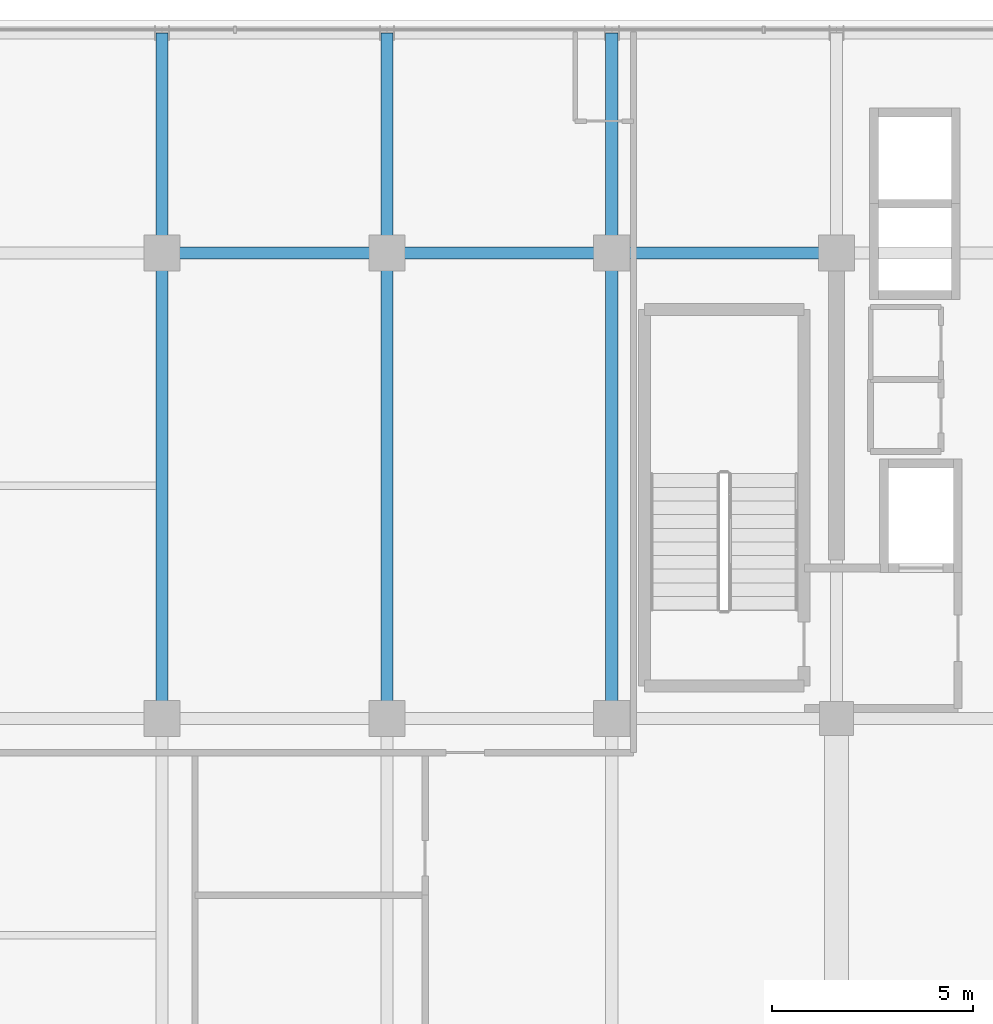
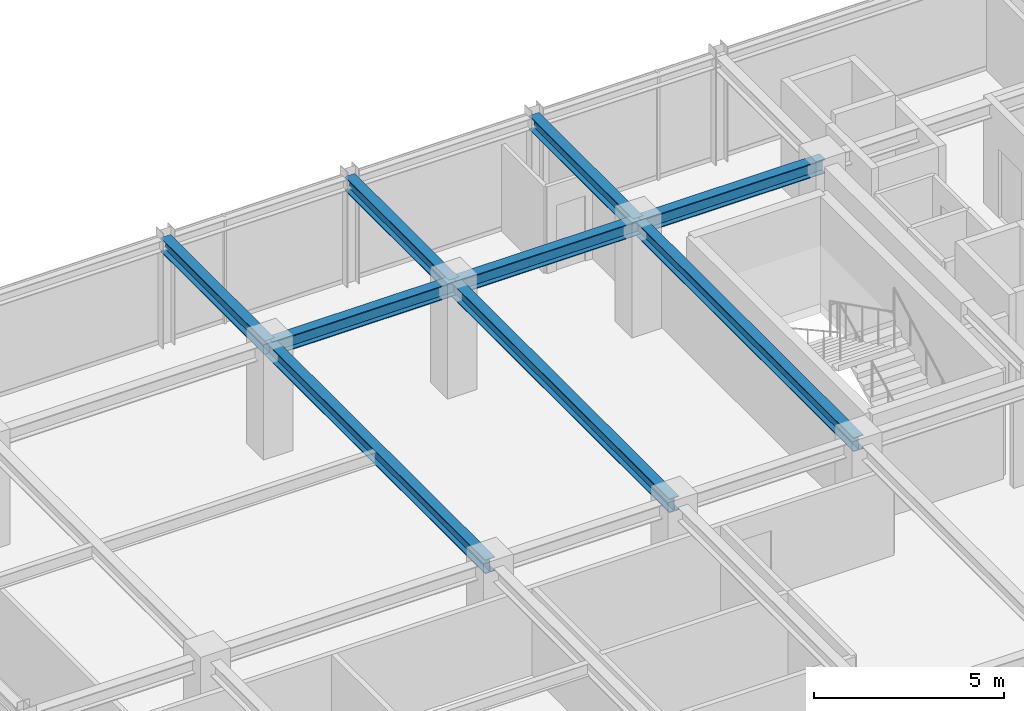
# One storey, part 19 of 31: 9 beams.
"""IFC4 building model written with IfcOpenShell, lengths in metres."""

from ifc_helpers import new_model, si_unit, direction, frame, origin, origin_2d, place, context, subcontext, project, spatial, i_section, extrude, source, transform, mapped, material, material_profile, profile_set, type_object, element, save


model = new_model("IFC4")

# Units and contexts
model_context = context("Model", 3, precision=1e-05, world=origin(), true_north=direction((0.0, 1.0)))
body_context = subcontext(model_context, "Body", "Model", "MODEL_VIEW")
ifc_project = project(units=[si_unit("LENGTHUNIT", "METRE"), si_unit("AREAUNIT", "SQUARE_METRE"), si_unit("VOLUMEUNIT", "CUBIC_METRE"), si_unit("PLANEANGLEUNIT", "RADIAN"), si_unit("MASSUNIT", "GRAM", prefix="KILO")], contexts=[model_context])

# Site, building, storey
site_placement = place(None, origin())
site = spatial("IfcSite", under=ifc_project, at=site_placement, CompositionType="ELEMENT")
building_placement = place(site_placement, origin())
building = spatial("IfcBuilding", under=site, at=building_placement, Name="Nahalor Promenade Grand Hotel", CompositionType="ELEMENT")
storey_placement = place(building_placement, frame((0.0, 0.0, 277.550048828125)))
storey = spatial("IfcBuildingStorey", under=building, at=storey_placement, Name="L71", CompositionType="ELEMENT", Elevation=277.550048828125)

# Beams
ifc_material = material(Name="Steel S355JR", Category="steel")
ifc_material_profile = material_profile(ifc_material, i_section(OverallWidth=0.3, OverallDepth=0.45, WebThickness=0.014, FlangeThickness=0.026, at=origin_2d()), Name="HEB 450")
ifc_profile_set = profile_set([ifc_material_profile], Name="Steel S355JR")
beam_type = type_object("IfcBeamType", Name="Beam-Girder-HEB450", PredefinedType="BEAM", material=ifc_profile_set)
shared_shape_1 = source(origin(), body_context, "Body", "SweptSolid", [
    extrude(i_section(OverallWidth=0.3, OverallDepth=0.45, WebThickness=0.014, FlangeThickness=0.026, at=origin_2d()), origin(), (0.0, 0.0, 1.0), 5.599853515625),
])
for number, where, z_axis, x_axis, name in (
    (1, (-8.39990234375, 17.0, 3.224853515625), (1.0, 0.0, 0.0), (0.0, 1.0, 0.0), "BM-L71-GX-3-2"),
    (2, (2.800048828125, 17.0, 3.224853515625), (1.0, 0.0, 0.0), (0.0, 1.0, 0.0), "BM-L71-GX-3-4"),
):
    element("IfcBeam", number, at=place(storey_placement, frame(where, z_axis=z_axis, x_axis=x_axis)), inside=storey, type_object=beam_type, Name=name, PredefinedType="BEAM", context=body_context, shape_type="MappedRepresentation", body=[
        mapped(shared_shape_1, transform((0.0, 0.0, 0.0), scale=1.0)),
    ])
shared_shape_2 = source(origin(), body_context, "Body", "SweptSolid", [
    extrude(i_section(OverallWidth=0.3, OverallDepth=0.45, WebThickness=0.014, FlangeThickness=0.026, at=origin_2d()), origin(), (0.0, 0.0, 1.0), 5.60009765625),
])
beam_placement = place(storey_placement, frame((-2.800048828125, 17.0, 3.224853515625), z_axis=(1.0, 0.0, 0.0), x_axis=(0.0, 1.0, 0.0)))
element("IfcBeam", 3, at=beam_placement, inside=storey, type_object=beam_type, Name="BM-L71-GX-3-3", PredefinedType="BEAM", context=body_context, shape_type="MappedRepresentation", body=[
    mapped(shared_shape_2, transform((0.0, 0.0, 0.0), scale=1.0)),
])
shared_shape_3 = source(origin(), body_context, "Body", "SweptSolid", [
    extrude(i_section(OverallWidth=0.3, OverallDepth=0.45, WebThickness=0.014, FlangeThickness=0.026, at=origin_2d()), origin(), (0.0, 0.0, 1.0), 11.60009765625),
])
for number, where, z_axis, x_axis, name in (
    (4, (-8.39990234375, 5.39990234375, 3.224853515625), (0.0, 1.0, 0.0), (-1.0, 0.0, 0.0), "BM-L71-GY-1-3"),
    (5, (-2.800048828125, 5.39990234375, 3.224853515625), (0.0, 1.0, 0.0), (-1.0, 0.0, 0.0), "BM-L71-GY-2-3"),
    (6, (2.800048828125, 5.39990234375, 3.224853515625), (0.0, 1.0, 0.0), (-1.0, 0.0, 0.0), "BM-L71-GY-3-3"),
):
    element("IfcBeam", number, at=place(storey_placement, frame(where, z_axis=z_axis, x_axis=x_axis)), inside=storey, type_object=beam_type, Name=name, PredefinedType="BEAM", context=body_context, shape_type="MappedRepresentation", body=[
        mapped(shared_shape_3, transform((0.0, 0.0, 0.0), scale=1.0)),
    ])
shared_shape_4 = source(origin(), body_context, "Body", "SweptSolid", [
    extrude(i_section(OverallWidth=0.3, OverallDepth=0.45, WebThickness=0.014, FlangeThickness=0.026, at=origin_2d()), origin(), (0.0, 0.0, 1.0), 5.47998046875),
])
for number, where, z_axis, x_axis, name in (
    (7, (-8.39990234375, 17.0, 3.224853515625), (0.0, 1.0, 0.0), (-1.0, 0.0, 0.0), "BM-L71-GY-1-4"),
    (8, (-2.800048828125, 17.0, 3.224853515625), (0.0, 1.0, 0.0), (-1.0, 0.0, 0.0), "BM-L71-GY-2-4"),
    (9, (2.800048828125, 17.0, 3.224853515625), (0.0, 1.0, 0.0), (-1.0, 0.0, 0.0), "BM-L71-GY-3-4"),
):
    element("IfcBeam", number, at=place(storey_placement, frame(where, z_axis=z_axis, x_axis=x_axis)), inside=storey, type_object=beam_type, Name=name, PredefinedType="BEAM", context=body_context, shape_type="MappedRepresentation", body=[
        mapped(shared_shape_4, transform((0.0, 0.0, 0.0), scale=1.0)),
    ])

save(model, "model.ifc")
